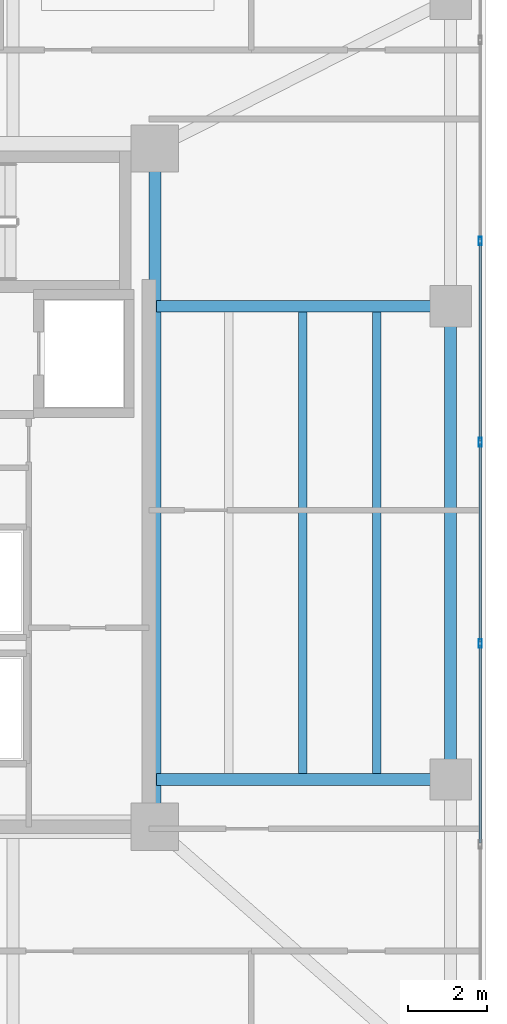
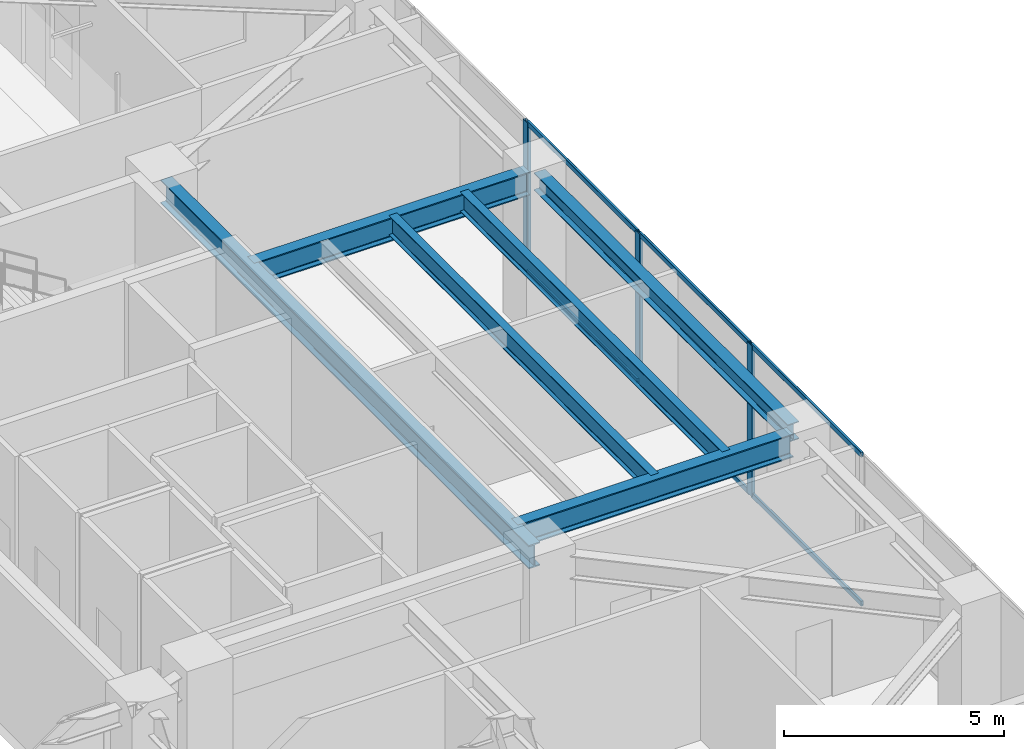
# One storey, part 18 of 37: 9 members, 6 beams, 1 element without a shape of its own.
"""IFC4 building model written with IfcOpenShell, lengths in metres."""

from ifc_helpers import new_model, si_unit, direction, frame, origin, origin_2d, place, context, subcontext, project, spatial, hollow_rectangle, i_section, extrude, material, layer, layer_set, material_profile, profile_set, type_object, element, aggregate, save


model = new_model("IFC4")

# Units and contexts
model_context = context("Model", 3, precision=1e-05, world=origin(), true_north=direction((0.0, 1.0)))
body_context = subcontext(model_context, "Body", "Model", "MODEL_VIEW")
ifc_project = project(units=[si_unit("LENGTHUNIT", "METRE"), si_unit("AREAUNIT", "SQUARE_METRE"), si_unit("VOLUMEUNIT", "CUBIC_METRE"), si_unit("PLANEANGLEUNIT", "RADIAN"), si_unit("MASSUNIT", "GRAM", prefix="KILO")], contexts=[model_context])

# Site, building, storey
site_placement = place(None, origin())
site = spatial("IfcSite", under=ifc_project, at=site_placement, CompositionType="ELEMENT")
building_placement = place(site_placement, origin())
building = spatial("IfcBuilding", under=site, at=building_placement, Name="Tarnavaz Court Tower", CompositionType="ELEMENT")
storey_placement = place(building_placement, frame((0.0, 0.0, 118.5)))
storey = spatial("IfcBuildingStorey", under=building, at=storey_placement, Name="L32", CompositionType="ELEMENT", Elevation=118.5)

# Beams
ifc_material_1 = material(Name="Steel S355", Category="steel")
ifc_material_profile_1 = material_profile(ifc_material_1, i_section(OverallWidth=0.300048828125, OverallDepth=0.64990234375, WebThickness=0.01611328125, FlangeThickness=0.031005859375, FilletRadius=0.027099609375, at=origin_2d()), Name="HEB 650")
ifc_profile_set_1 = profile_set([ifc_material_profile_1], Name="Steel S355")
beam_type_1 = type_object("IfcBeamType", Name="BM-G-HEB650", PredefinedType="USERDEFINED", material=ifc_profile_set_1)
beam_1_placement = place(storey_placement, frame((18.60009765625, -6.97998046875, 3.875), z_axis=(0.0, 1.0, 0.0), x_axis=(-1.0, 0.0, 0.0)))
element("IfcBeam", 1, at=beam_1_placement, inside=storey, type_object=beam_type_1, Name="L32 Beam IN-CE-SO-CE-NO", ObjectType="GIRDER", PredefinedType="USERDEFINED", context=body_context, shape_type="SweptSolid", body=[
    extrude(i_section(OverallWidth=0.300048828125, OverallDepth=0.64990234375, WebThickness=0.01611328125, FlangeThickness=0.031005859375, FilletRadius=0.027099609375, at=origin_2d()), origin(), (0.0, 0.0, 1.0), 16.760009765625),
])
for number, where, z_axis, x_axis, name in (
    (2, (18.639892578125, -6.0, 3.875), (1.0, 0.0, 0.0), (0.0, 1.0, 0.0), "L32 Beam RG-09"),
    (3, (18.639892578125, 6.0, 3.875), (1.0, 0.0, 0.0), (0.0, 1.0, 0.0), "L32 Beam RG-10"),
):
    element("IfcBeam", number, at=place(storey_placement, frame(where, z_axis=z_axis, x_axis=x_axis)), inside=storey, type_object=beam_type_1, Name=name, ObjectType="GIRDER", PredefinedType="USERDEFINED", context=body_context, shape_type="SweptSolid", body=[
        extrude(i_section(OverallWidth=0.300048828125, OverallDepth=0.64990234375, WebThickness=0.01611328125, FlangeThickness=0.031005859375, FilletRadius=0.027099609375, at=origin_2d()), origin(), (0.0, 0.0, 1.0), 7.239990234375),
    ])
ifc_material_profile_2 = material_profile(ifc_material_1, i_section(OverallWidth=0.2099609375, OverallDepth=0.550048828125, WebThickness=0.010986328125, FlangeThickness=0.01708984375, FilletRadius=0.02392578125, at=origin_2d()), Name="IPE 550")
ifc_profile_set_2 = profile_set([ifc_material_profile_2], Name="Steel S355")
beam_type_2 = type_object("IfcBeamType", Name="BM-J-IPE550", PredefinedType="JOIST", material=ifc_profile_set_2)
for number, where, z_axis, x_axis, name in (
    (4, (22.35009765625, -5.9599609375, 3.925048828125), (0.0, 1.0, 0.0), (-1.0, 0.0, 0.0), "L32 Beam JE2"),
    (5, (24.22509765625, -5.9599609375, 3.925048828125), (0.0, 1.0, 0.0), (-1.0, 0.0, 0.0), "L32 Beam JE3"),
):
    element("IfcBeam", number, at=place(storey_placement, frame(where, z_axis=z_axis, x_axis=x_axis)), inside=storey, type_object=beam_type_2, Name=name, PredefinedType="JOIST", context=body_context, shape_type="SweptSolid", body=[
        extrude(i_section(OverallWidth=0.2099609375, OverallDepth=0.550048828125, WebThickness=0.010986328125, FlangeThickness=0.01708984375, FilletRadius=0.02392578125, at=origin_2d()), origin(), (0.0, 0.0, 1.0), 11.919921875),
    ])
ifc_material_profile_3 = material_profile(ifc_material_1, i_section(OverallWidth=0.300048828125, OverallDepth=0.489990234375, WebThickness=0.011962890625, FlangeThickness=0.02294921875, FilletRadius=0.027099609375, at=origin_2d()), Name="HEA 500")
ifc_profile_set_3 = profile_set([ifc_material_profile_3], Name="Steel S355")
beam_type_3 = type_object("IfcBeamType", Name="BM-SP-HEA500", PredefinedType="SPANDREL", material=ifc_profile_set_3)
beam_2_placement = place(storey_placement, frame((26.10009765625, -5.780029296875, 3.955078125), z_axis=(0.0, 1.0, 0.0), x_axis=(-1.0, 0.0, 0.0)))
element("IfcBeam", 6, at=beam_2_placement, inside=storey, type_object=beam_type_3, Name="L32 Beam PR-PE-2-PE-3", PredefinedType="SPANDREL", context=body_context, shape_type="SweptSolid", body=[
    extrude(i_section(OverallWidth=0.300048828125, OverallDepth=0.489990234375, WebThickness=0.011962890625, FlangeThickness=0.02294921875, FilletRadius=0.027099609375, at=origin_2d()), origin(), (0.0, 0.0, 1.0), 11.56005859375),
])

# Curtain wall, members
ifc_material_2 = material(Name="Anodised Aluminium 6063-T6 and Solar Low-E Glazing", Category="aluminium")
ifc_layer = layer(ifc_material_2, 0.199951171875)
ifc_layer_set = layer_set([ifc_layer], Name="Anodised Aluminium 6063-T6 and Solar Low-E Glazing")
curtain_wall_type = type_object("IfcCurtainWallType", Name="CW-SYS-05", PredefinedType="NOTDEFINED", material=ifc_layer_set)
curtain_wall_placement = place(storey_placement, origin())
curtain_wall = element("IfcCurtainWall", 7, at=curtain_wall_placement, inside=storey, type_object=curtain_wall_type, Name="L32 Sky-Portal Curtain Wall 12", PredefinedType="NOTDEFINED")
ifc_material_3 = material(Name="Anodised Aluminium 6063-T6", Category="aluminium")
ifc_material_profile_4 = material_profile(ifc_material_3, hollow_rectangle(XDim=0.0849609375, YDim=0.219970703125, WallThickness=0.006103515625, InnerFilletRadius=0.006103515625, OuterFilletRadius=0.011962890625, at=origin_2d()), Name="ALU RHS 220X85X6")
ifc_profile_set_4 = profile_set([ifc_material_profile_4], Name="Anodised Aluminium 6063-T6")
member_type_1 = type_object("IfcMemberType", Name="CW-MUL-220", PredefinedType="MULLION", material=ifc_profile_set_4)
member_1_placement = place(storey_placement, frame((26.85009765625, 7.64990234375, 0.0), z_axis=(0.0, 0.0, 1.0), x_axis=(1.0, 0.0, 0.0)))
member_1 = element("IfcMember", 8, at=member_1_placement, type_object=member_type_1, Name="CW mullion 3", PredefinedType="MULLION", context=body_context, shape_type="SweptSolid", body=[
    extrude(hollow_rectangle(XDim=0.0849609375, YDim=0.219970703125, WallThickness=0.006103515625, InnerFilletRadius=0.006103515625, OuterFilletRadius=0.011962890625, at=origin_2d()), origin(), (0.0, 0.0, 1.0), 4.199951171875),
])
member_2_placement = place(storey_placement, frame((26.85009765625, 2.550048828125, 0.0), z_axis=(0.0, 0.0, 1.0), x_axis=(1.0, 0.0, 0.0)))
member_2 = element("IfcMember", 9, at=member_2_placement, type_object=member_type_1, Name="CW mullion 4", PredefinedType="MULLION", context=body_context, shape_type="SweptSolid", body=[
    extrude(hollow_rectangle(XDim=0.0849609375, YDim=0.219970703125, WallThickness=0.006103515625, InnerFilletRadius=0.006103515625, OuterFilletRadius=0.011962890625, at=origin_2d()), origin(), (0.0, 0.0, 1.0), 4.199951171875),
])
member_3_placement = place(storey_placement, frame((26.85009765625, -2.550048828125, 0.0), z_axis=(0.0, 0.0, 1.0), x_axis=(1.0, 0.0, 0.0)))
member_3 = element("IfcMember", 10, at=member_3_placement, type_object=member_type_1, Name="CW mullion 5", PredefinedType="MULLION", context=body_context, shape_type="SweptSolid", body=[
    extrude(hollow_rectangle(XDim=0.0849609375, YDim=0.219970703125, WallThickness=0.006103515625, InnerFilletRadius=0.006103515625, OuterFilletRadius=0.011962890625, at=origin_2d()), origin(), (0.0, 0.0, 1.0), 4.199951171875),
])
ifc_material_profile_5 = material_profile(ifc_material_3, hollow_rectangle(XDim=0.06494140625, YDim=0.139892578125, WallThickness=0.00390625, InnerFilletRadius=0.00390625, OuterFilletRadius=0.008056640625, at=origin_2d()), Name="ALU RHS 140X65X4")
ifc_profile_set_5 = profile_set([ifc_material_profile_5], Name="Anodised Aluminium 6063-T6")
member_type_2 = type_object("IfcMemberType", Name="CW-TRN-140", PredefinedType="USERDEFINED", material=ifc_profile_set_5)
member_4_placement = place(storey_placement, frame((26.85009765625, 7.607421875, 0.032470703125), z_axis=(0.0, -1.0, 0.0), x_axis=(1.0, 0.0, 0.0)))
member_4 = element("IfcMember", 11, at=member_4_placement, type_object=member_type_2, Name="CW transom 3.1", ObjectType="TRANSOM", PredefinedType="USERDEFINED", context=body_context, shape_type="SweptSolid", body=[
    extrude(hollow_rectangle(XDim=0.06494140625, YDim=0.139892578125, WallThickness=0.00390625, InnerFilletRadius=0.00390625, OuterFilletRadius=0.008056640625, at=origin_2d()), origin(), (0.0, 0.0, 1.0), 5.014892578125),
])
member_5_placement = place(storey_placement, frame((26.85009765625, 7.607421875, 4.16748046875), z_axis=(0.0, -1.0, 0.0), x_axis=(1.0, 0.0, 0.0)))
member_5 = element("IfcMember", 12, at=member_5_placement, type_object=member_type_2, Name="CW transom 3.2", ObjectType="TRANSOM", PredefinedType="USERDEFINED", context=body_context, shape_type="SweptSolid", body=[
    extrude(hollow_rectangle(XDim=0.06494140625, YDim=0.139892578125, WallThickness=0.00390625, InnerFilletRadius=0.00390625, OuterFilletRadius=0.008056640625, at=origin_2d()), origin(), (0.0, 0.0, 1.0), 5.014892578125),
])
member_6_placement = place(storey_placement, frame((26.85009765625, 2.507568359375, 0.032470703125), z_axis=(0.0, -1.0, 0.0), x_axis=(1.0, 0.0, 0.0)))
member_6 = element("IfcMember", 13, at=member_6_placement, type_object=member_type_2, Name="CW transom 4.1", ObjectType="TRANSOM", PredefinedType="USERDEFINED", context=body_context, shape_type="SweptSolid", body=[
    extrude(hollow_rectangle(XDim=0.06494140625, YDim=0.139892578125, WallThickness=0.00390625, InnerFilletRadius=0.00390625, OuterFilletRadius=0.008056640625, at=origin_2d()), origin(), (0.0, 0.0, 1.0), 5.01513671875),
])
member_7_placement = place(storey_placement, frame((26.85009765625, 2.507568359375, 4.16748046875), z_axis=(0.0, -1.0, 0.0), x_axis=(1.0, 0.0, 0.0)))
member_7 = element("IfcMember", 14, at=member_7_placement, type_object=member_type_2, Name="CW transom 4.2", ObjectType="TRANSOM", PredefinedType="USERDEFINED", context=body_context, shape_type="SweptSolid", body=[
    extrude(hollow_rectangle(XDim=0.06494140625, YDim=0.139892578125, WallThickness=0.00390625, InnerFilletRadius=0.00390625, OuterFilletRadius=0.008056640625, at=origin_2d()), origin(), (0.0, 0.0, 1.0), 5.01513671875),
])
member_8_placement = place(storey_placement, frame((26.85009765625, -2.592529296875, 0.032470703125), z_axis=(0.0, -1.0, 0.0), x_axis=(1.0, 0.0, 0.0)))
member_8 = element("IfcMember", 15, at=member_8_placement, type_object=member_type_2, Name="CW transom 5.1", ObjectType="TRANSOM", PredefinedType="USERDEFINED", context=body_context, shape_type="SweptSolid", body=[
    extrude(hollow_rectangle(XDim=0.06494140625, YDim=0.139892578125, WallThickness=0.00390625, InnerFilletRadius=0.00390625, OuterFilletRadius=0.008056640625, at=origin_2d()), origin(), (0.0, 0.0, 1.0), 5.014892578125),
])
member_9_placement = place(storey_placement, frame((26.85009765625, -2.592529296875, 4.16748046875), z_axis=(0.0, -1.0, 0.0), x_axis=(1.0, 0.0, 0.0)))
member_9 = element("IfcMember", 16, at=member_9_placement, type_object=member_type_2, Name="CW transom 5.2", ObjectType="TRANSOM", PredefinedType="USERDEFINED", context=body_context, shape_type="SweptSolid", body=[
    extrude(hollow_rectangle(XDim=0.06494140625, YDim=0.139892578125, WallThickness=0.00390625, InnerFilletRadius=0.00390625, OuterFilletRadius=0.008056640625, at=origin_2d()), origin(), (0.0, 0.0, 1.0), 5.014892578125),
])
aggregate(curtain_wall, [member_1, member_2, member_3, member_4, member_5, member_6, member_7, member_8, member_9])

save(model, "model.ifc")
